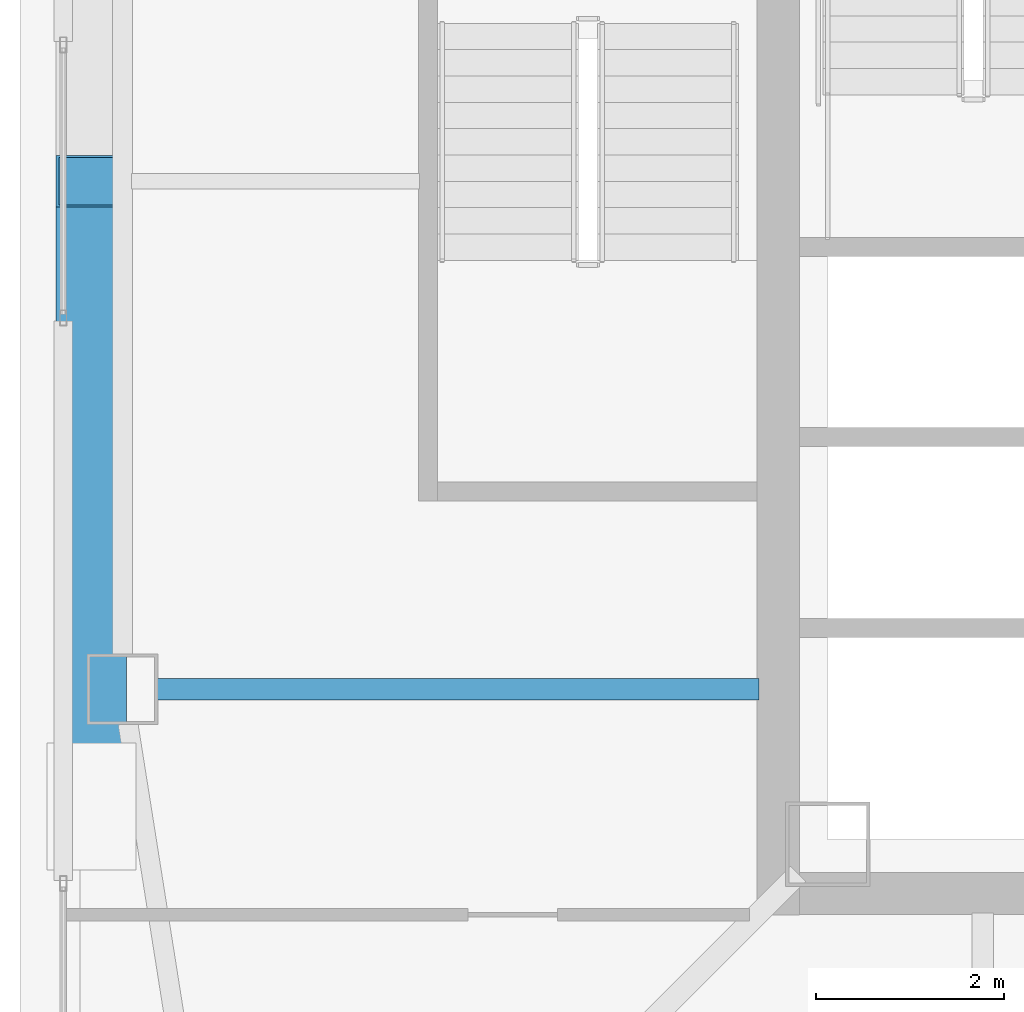
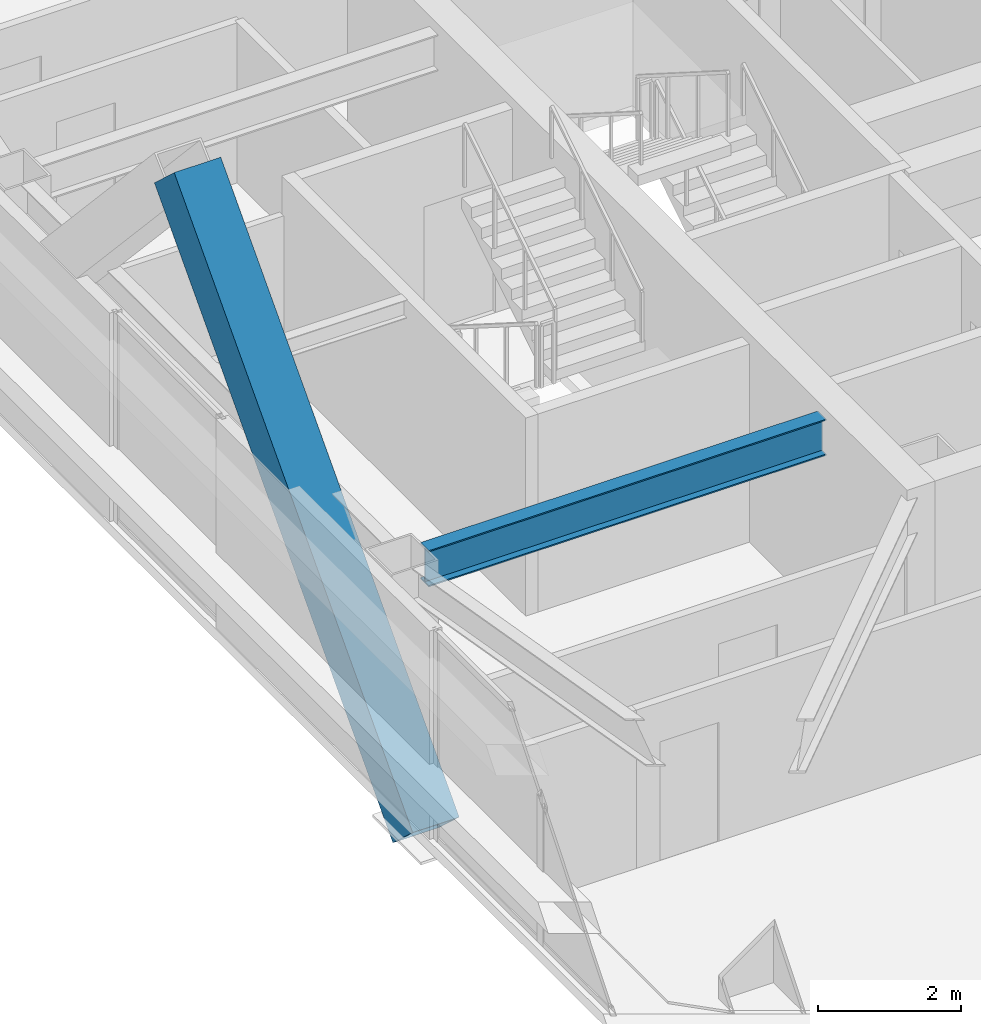
# One storey, part 5 of 24: 1 beam, 1 member.
"""IFC4 building model written with IfcOpenShell, lengths in metres."""

from ifc_helpers import new_model, si_unit, direction, frame, origin, origin_2d, place, context, subcontext, project, spatial, hollow_rectangle, i_section, extrude, material, material_profile, profile_set, type_object, element, save


model = new_model("IFC4")

# Units and contexts
model_context = context("Model", 3, precision=1e-05, world=origin(), true_north=direction((0.0, 1.0)))
body_context = subcontext(model_context, "Body", "Model", "MODEL_VIEW")
ifc_project = project(units=[si_unit("LENGTHUNIT", "METRE"), si_unit("AREAUNIT", "SQUARE_METRE"), si_unit("VOLUMEUNIT", "CUBIC_METRE"), si_unit("PLANEANGLEUNIT", "RADIAN"), si_unit("MASSUNIT", "GRAM", prefix="KILO")], contexts=[model_context])

# Site, building, storey
site_placement = place(None, origin())
site = spatial("IfcSite", under=ifc_project, at=site_placement, CompositionType="ELEMENT")
building_placement = place(site_placement, origin())
building = spatial("IfcBuilding", under=site, at=building_placement, Name="Tashvorn Skyway Center", CompositionType="ELEMENT")
storey_placement = place(building_placement, frame((0.0, 0.0, 270.5)))
storey = spatial("IfcBuildingStorey", under=building, at=storey_placement, Name="L73", CompositionType="ELEMENT", Elevation=270.5)

# Beam
ifc_material_1 = material(Name="Steel ASTM A992 Grade 50", Category="steel")
ifc_material_profile_1 = material_profile(ifc_material_1, i_section(OverallWidth=0.22998046875, OverallDepth=0.616943359375, WebThickness=0.01318359375, FlangeThickness=0.022216796875, at=origin_2d()), Name="W24X94")
ifc_profile_set_1 = profile_set([ifc_material_profile_1], Name="Steel ASTM A992 Grade 50")
beam_type = type_object("IfcBeamType", Name="BM-BEAM-W24X94", PredefinedType="BEAM", material=ifc_profile_set_1)
beam_placement = place(storey_placement, frame((27.820068359375, 26.60009765625, 3.0615234375), z_axis=(1.0, 0.0, 0.0), x_axis=(0.0, 1.0, 0.0)))
element("IfcBeam", 1, at=beam_placement, inside=storey, type_object=beam_type, Name="Tower 1 L73 Primary Floor Girder FC-W2", PredefinedType="BEAM", context=body_context, shape_type="SweptSolid", body=[
    extrude(i_section(OverallWidth=0.22998046875, OverallDepth=0.616943359375, WebThickness=0.01318359375, FlangeThickness=0.022216796875, at=origin_2d()), origin(), (0.0, 0.0, 1.0), 6.39990234375),
])

# Member
ifc_material_2 = material(Name="Steel ASTM A572 Grade 50", Category="steel")
ifc_material_profile_2 = material_profile(ifc_material_2, hollow_rectangle(XDim=0.75, YDim=0.75, WallThickness=0.031982421875, at=origin_2d()), Name="BOX750x750x32")
ifc_profile_set_2 = profile_set([ifc_material_profile_2], Name="Steel ASTM A572 Grade 50")
member_type = type_object("IfcMemberType", Name="MEM-MB-750", PredefinedType="BRACE", material=ifc_profile_set_2)
member_placement = place(storey_placement, frame((27.1201171875, 25.35009765625, -0.449951171875), z_axis=(0.0, 0.678489061697, 0.734610504388), x_axis=(-1.0, 0.0, 0.0)))
element("IfcMember", 2, at=member_placement, inside=storey, type_object=member_type, Name="Tower 1 Zone 7 W Chevron Mega-Brace R2", PredefinedType="BRACE", context=body_context, shape_type="SweptSolid", body=[
    extrude(hollow_rectangle(XDim=0.75, YDim=0.75, WallThickness=0.031982421875, at=origin_2d()), origin(), (0.0, 0.0, 1.0), 9.801025390625),
])

save(model, "model.ifc")
